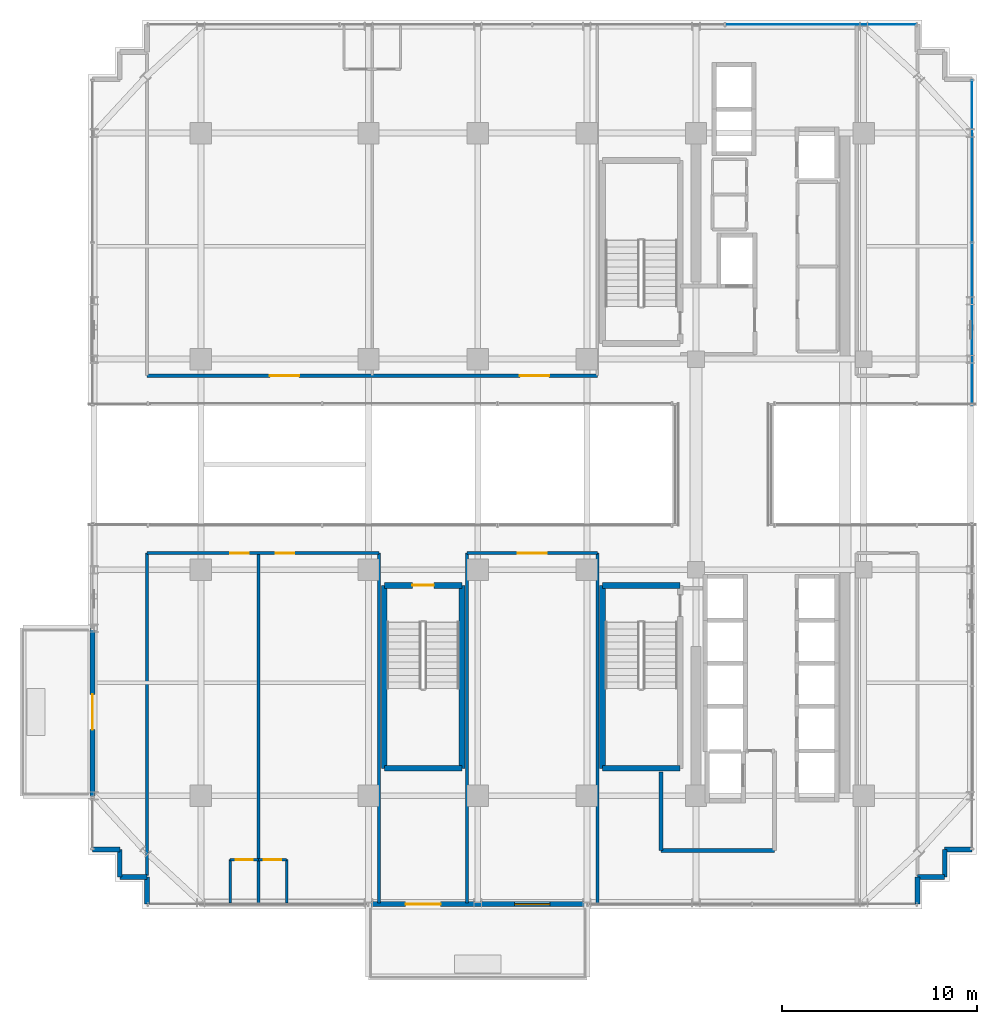
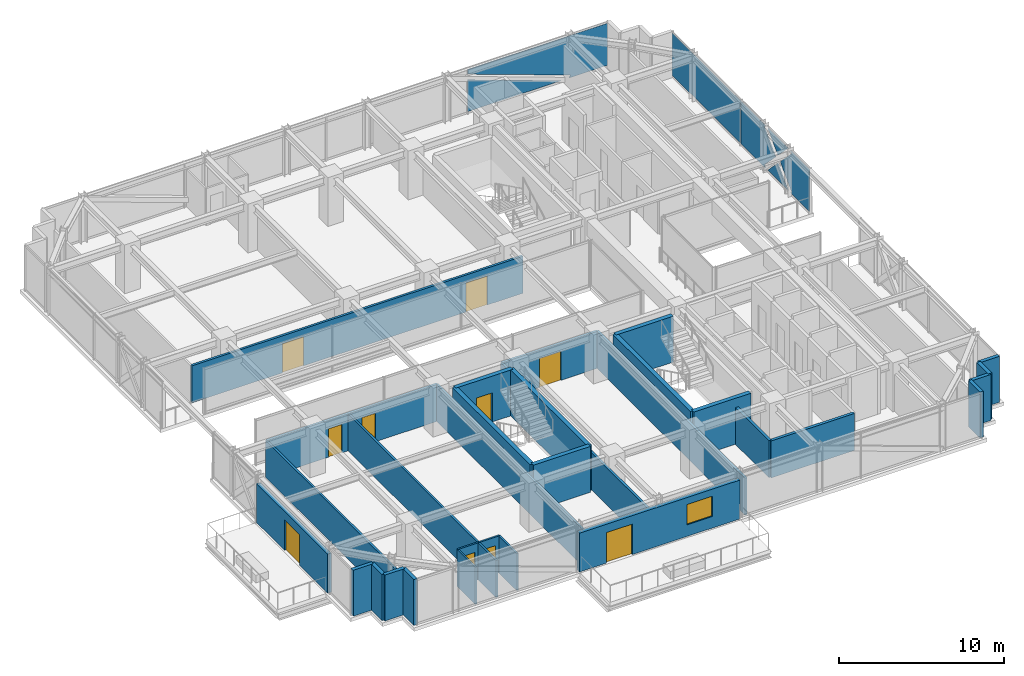
# One storey, part 28 of 35: 31 walls, 10 doors, 3 plates, 1 window, 11 openings, 2 elements without a shape of their own.
"""IFC4 building model written with IfcOpenShell, lengths in metres."""

from ifc_helpers import new_model, si_unit, direction, frame, frame_2d, origin, origin_2d, place, context, subcontext, project, spatial, polyline, rectangle, outline, extrude, source, transform, mapped, material, layer, layer_set, type_object, element, fill, aggregate, save


model = new_model("IFC4")

# Units and contexts
model_context = context("Model", 3, precision=1e-05, world=origin(), true_north=direction((0.0, 1.0)))
body_context = subcontext(model_context, "Body", "Model", "MODEL_VIEW")
ifc_project = project(units=[si_unit("LENGTHUNIT", "METRE"), si_unit("AREAUNIT", "SQUARE_METRE"), si_unit("VOLUMEUNIT", "CUBIC_METRE"), si_unit("PLANEANGLEUNIT", "RADIAN"), si_unit("MASSUNIT", "GRAM", prefix="KILO")], contexts=[model_context])

# Site, building, storey
site_placement = place(None, origin())
site = spatial("IfcSite", under=ifc_project, at=site_placement, CompositionType="ELEMENT")
building_placement = place(site_placement, origin())
building = spatial("IfcBuilding", under=site, at=building_placement, Name="Nahalor Promenade Grand Hotel", CompositionType="ELEMENT")
storey_placement = place(building_placement, frame((0.0, 0.0, 185.5)))
storey = spatial("IfcBuildingStorey", under=building, at=storey_placement, Name="L47", CompositionType="ELEMENT", Elevation=185.5)

# Curtain wall, plate
ifc_material_1 = material(Name="Anodised Bronze Aluminium EN AW-6063 T6", Category="aluminium")
curtain_wall_type = type_object("IfcCurtainWallType", Name="CW3 Elliptical-Void Collar Unitised Curtain Wall", PredefinedType="USERDEFINED", material=ifc_material_1)
curtain_wall_1_placement = place(storey_placement, origin())
curtain_wall_1 = element("IfcCurtainWall", 1, at=curtain_wall_1_placement, inside=storey, type_object=curtain_wall_type, Name="L47 Curtain Wall CW-L47-N-1", ObjectType="UNITISED_CURTAIN_WALL", PredefinedType="USERDEFINED")
ifc_material_2 = material(Name="Low-E Laminated Solar Glass", Category="glass")
ifc_layer_1 = layer(ifc_material_2, 0.030029296875)
ifc_layer_set_1 = layer_set([ifc_layer_1], Name="Low-E Laminated Solar Glass")
plate_type = type_object("IfcPlateType", Name="CWP3 High-Wind Laminated Bronze IGU 30mm", PredefinedType="CURTAIN_PANEL", material=ifc_layer_set_1)
plate_1_placement = place(storey_placement, frame((14.802490234375, 22.56005859375, 0.14013671875), z_axis=(0.0, 0.0, 1.0), x_axis=(1.0, 0.0, 0.0)))
plate_1 = element("IfcPlate", 2, at=plate_1_placement, type_object=plate_type, Name="CW-L47-N-1 Glazing Panel 3-0", PredefinedType="CURTAIN_PANEL", context=body_context, shape_type="SweptSolid", body=[
    extrude(outline(polyline([(4.887451171875, 3.110107421875), (-4.887451171875, 3.110107421875), (-4.887451171875, 2.76806640625), (2.28857421875, 0.189697265625), (2.220458984375, 0.0), (4.887451171875, 0.0), (4.887451171875, 3.110107421875)])), frame((0.0, 0.01513671875, 0.0), z_axis=(0.0, -1.0, 0.0), x_axis=(1.0, 0.0, 0.0)), (0.0, 0.0, 1.0), 0.030029296875),
    extrude(outline(polyline([(-4.887451171875, 2.343017578125), (-4.887451171875, 0.0), (1.6337890625, 0.0), (-4.887451171875, 2.343017578125)])), frame((0.0, 0.01513671875, 0.0), z_axis=(0.0, -1.0, 0.0), x_axis=(1.0, 0.0, 0.0)), (0.0, 0.0, 1.0), 0.030029296875),
])
aggregate(curtain_wall_1, [plate_1])

# Curtain wall, plates
curtain_wall_2_placement = place(storey_placement, origin())
curtain_wall_2 = element("IfcCurtainWall", 3, at=curtain_wall_2_placement, inside=storey, type_object=curtain_wall_type, Name="L47 Curtain Wall CW-L47-E-2", ObjectType="UNITISED_CURTAIN_WALL", PredefinedType="USERDEFINED")
plate_2_placement = place(storey_placement, frame((22.56005859375, 7.206787109375, 0.14013671875), z_axis=(0.0, 0.0, 1.0), x_axis=(0.0, 1.0, 0.0)))
plate_2 = element("IfcPlate", 4, at=plate_2_placement, type_object=plate_type, Name="CW-L47-E-2 Glazing Panel 0-0", PredefinedType="CURTAIN_PANEL", context=body_context, shape_type="SweptSolid", body=[
    extrude(outline(polyline([(-4.1376953125, 3.110107421875), (-4.1376953125, 0.0), (-1.832275390625, 0.0), (-1.9677734375, 0.13134765625), (-0.58544921875, 1.554931640625), (-1.9677734375, 2.978515625), (-1.832275390625, 3.110107421875), (-4.1376953125, 3.110107421875)])), frame((0.0, 0.01513671875, 0.0), z_axis=(0.0, -1.0, 0.0), x_axis=(1.0, 0.0, 0.0)), (0.0, 0.0, 1.0), 0.030029296875),
    extrude(outline(polyline([(-0.306640625, 1.267822265625), (-1.53759765625, 0.0), (0.92431640625, 0.0), (-0.306640625, 1.267822265625)])), frame((0.0, 0.01513671875, 0.0), z_axis=(0.0, -1.0, 0.0), x_axis=(1.0, 0.0, 0.0)), (0.0, 0.0, 1.0), 0.030029296875),
    extrude(outline(polyline([(-0.306640625, 1.842041015625), (0.92431640625, 3.110107421875), (-1.53759765625, 3.110107421875), (-0.306640625, 1.842041015625)])), frame((0.0, 0.01513671875, 0.0), z_axis=(0.0, -1.0, 0.0), x_axis=(1.0, 0.0, 0.0)), (0.0, 0.0, 1.0), 0.030029296875),
    extrude(outline(polyline([(4.1376953125, 0.0), (4.1376953125, 3.110107421875), (1.21875, 3.110107421875), (1.354248046875, 2.978515625), (-0.028076171875, 1.554931640625), (1.354248046875, 0.13134765625), (1.21875, 0.0), (4.1376953125, 0.0)])), frame((0.0, 0.01513671875, 0.0), z_axis=(0.0, -1.0, 0.0), x_axis=(1.0, 0.0, 0.0)), (0.0, 0.0, 1.0), 0.030029296875),
])
shared_shape_1 = source(origin(), body_context, "Body", "SweptSolid", [
    extrude(rectangle(XDim=8.275390625, YDim=0.030029296875, at=origin_2d()), origin(), (0.0, 0.0, 1.0), 3.110107421875),
])
plate_3_placement = place(storey_placement, frame((22.56005859375, 15.55224609375, 0.14013671875), z_axis=(0.0, 0.0, 1.0), x_axis=(0.0, 1.0, 0.0)))
plate_3 = element("IfcPlate", 5, at=plate_3_placement, type_object=plate_type, Name="CW-L47-E-2 Glazing Panel 1-0", PredefinedType="CURTAIN_PANEL", context=body_context, shape_type="MappedRepresentation", body=[
    mapped(shared_shape_1, transform((0.0, 0.0, 0.0), scale=1.0)),
])
aggregate(curtain_wall_2, [plate_2, plate_3])

# Walls
ifc_material_3 = material(Name="Concrete B-50 (C40/50)", Category="concrete")
ifc_layer_2 = layer(ifc_material_3, 0.300048828125)
ifc_layer_set_2 = layer_set([ifc_layer_2], Name="Concrete B-50 (C40/50)")
wall_type_1 = type_object("IfcWallType", Name="Wall-ShaftShear-300", PredefinedType="SHEAR", material=ifc_layer_set_2)
shared_shape_2 = source(origin(), body_context, "Body", "SweptSolid", [
    extrude(rectangle(XDim=3.97998046875, YDim=0.300048828125, at=frame_2d((1.989990234375, 0.0))), origin(), (0.0, 0.0, 1.0), 3.389892578125),
])
for number, where, z_axis, x_axis, name in (
    (6, (3.610107421875, -15.590087890625, 0.0), (0.0, 0.0, 1.0), (1.0, 0.0, 0.0), "L47 Exit Stair ST2 Shaft Wall S"),
    (7, (3.610107421875, -6.2099609375, 0.0), (0.0, 0.0, 1.0), (1.0, 0.0, 0.0), "L47 Exit Stair ST2 Shaft Wall N"),
    (8, (-7.590087890625, -15.590087890625, 0.0), (0.0, 0.0, 1.0), (1.0, 0.0, 0.0), "L47 Exit Stair ST3 Shaft Wall S"),
):
    element("IfcWall", number, at=place(storey_placement, frame(where, z_axis=z_axis, x_axis=x_axis)), inside=storey, type_object=wall_type_1, Name=name, PredefinedType="SHEAR", context=body_context, shape_type="MappedRepresentation", body=[
        mapped(shared_shape_2, transform((0.0, 0.0, 0.0), scale=1.0)),
    ])

# Wall, opening, door
wall_1_placement = place(storey_placement, frame((-7.590087890625, -6.2099609375, 0.0), z_axis=(0.0, 0.0, 1.0), x_axis=(1.0, 0.0, 0.0)))
wall_1 = element("IfcWall", 9, at=wall_1_placement, inside=storey, type_object=wall_type_1, Name="L47 Exit Stair ST3 Shaft Wall N", PredefinedType="SHEAR", context=body_context, shape_type="MappedRepresentation", body=[
    mapped(shared_shape_2, transform((0.0, 0.0, 0.0), scale=1.0)),
])
opening_1_placement = place(wall_1_placement, frame((1.43994140625, 0.0, 0.0)))
opening_1 = element("IfcOpeningElement", 10, at=opening_1_placement, cuts=wall_1, Name="Opening D-ST1", PredefinedType="OPENING", context=body_context, shape_type="SweptSolid", body=[
    extrude(rectangle(XDim=1.10009765625, YDim=2.14990234375, at=frame_2d((0.550048828125, 1.074951171875))), frame((0.0, 0.159912109375, 0.0), z_axis=(0.0, -1.0, 0.0), x_axis=(1.0, 0.0, 0.0)), (0.0, 0.0, 1.0), 0.320068359375),
])
ifc_material_4 = material(Name="Steel S355JR", Category="steel")
door_type_1 = type_object("IfcDoorType", Name="Door-StairFire-1100", OperationType="NOTDEFINED", PredefinedType="DOOR", material=ifc_material_4)
shared_shape_3 = source(origin(), body_context, "Body", "SweptSolid", [
    extrude(rectangle(XDim=1.10009765625, YDim=2.14990234375, at=frame_2d((0.550048828125, 1.074951171875))), frame((0.0, 0.02490234375, 0.0), z_axis=(0.0, -1.0, 0.0), x_axis=(1.0, 0.0, 0.0)), (0.0, 0.0, 1.0), 0.050048828125),
])
door_1_placement = place(opening_1_placement, frame((1.10009765625, 0.0, 0.0), z_axis=(0.0, 0.0, 1.0), x_axis=(-1.0, 0.0, 0.0)))
door_1 = element("IfcDoor", 11, at=door_1_placement, inside=storey, type_object=door_type_1, Name="DR-STAIR-ST3-L47", OperationType="SINGLE_SWING_RIGHT", OverallHeight=2.14990234375, OverallWidth=1.10009765625, PredefinedType="DOOR", context=body_context, shape_type="MappedRepresentation", body=[
    mapped(shared_shape_3, transform((0.0, 0.0, 0.0), scale=1.0)),
])
fill(opening_1, door_1)

# Walls
shared_shape_4 = source(origin(), body_context, "Body", "SweptSolid", [
    extrude(rectangle(XDim=9.380126953125, YDim=0.300048828125, at=frame_2d((4.68994140625, 0.0))), origin(), (0.0, 0.0, 1.0), 3.389892578125),
])
for number, where, z_axis, x_axis, name in (
    (12, (3.610107421875, -15.590087890625, 0.0), (0.0, 0.0, 1.0), (0.0, 1.0, 0.0), "L47 Exit Stair ST2 Shaft Wall W"),
    (13, (-7.590087890625, -15.590087890625, 0.0), (0.0, 0.0, 1.0), (0.0, 1.0, 0.0), "L47 Exit Stair ST3 Shaft Wall W"),
    (14, (-3.610107421875, -15.590087890625, 0.0), (0.0, 0.0, 1.0), (0.0, 1.0, 0.0), "L47 Exit Stair ST3 Shaft Wall E"),
):
    element("IfcWall", number, at=place(storey_placement, frame(where, z_axis=z_axis, x_axis=x_axis)), inside=storey, type_object=wall_type_1, Name=name, PredefinedType="SHEAR", context=body_context, shape_type="MappedRepresentation", body=[
        mapped(shared_shape_4, transform((0.0, 0.0, 0.0), scale=1.0)),
    ])
ifc_material_5 = material(Name="Concrete B-40 (C32/40)", Category="concrete")
ifc_layer_3 = layer(ifc_material_5, 0.25)
ifc_layer_set_3 = layer_set([ifc_layer_3], Name="Concrete B-40 (C32/40)")
wall_type_2 = type_object("IfcWallType", Name="Wall-BronzePier-250", PredefinedType="STANDARD", material=ifc_layer_set_3)
shared_shape_5 = source(origin(), body_context, "Body", "SweptSolid", [
    extrude(rectangle(XDim=1.400146484375, YDim=0.25, at=frame_2d((0.7001953125, 0.0))), origin(), (0.0, 0.0, 1.0), 3.389892578125),
])
for number, where, z_axis, x_axis, name in (
    (15, (19.760009765625, -22.56005859375, 0.0), (0.0, 0.0, 1.0), (0.0, 1.0, 0.0), "W-L47-SR-01"),
    (16, (21.159912109375, -19.760009765625, 0.0), (0.0, 0.0, 1.0), (1.0, 0.0, 0.0), "W-L47-SR-04"),
    (17, (-22.56005859375, -19.760009765625, 0.0), (0.0, 0.0, 1.0), (1.0, 0.0, 0.0), "W-L47-SR-13"),
    (18, (-19.760009765625, -22.56005859375, 0.0), (0.0, 0.0, 1.0), (0.0, 1.0, 0.0), "W-L47-SR-16"),
):
    element("IfcWall", number, at=place(storey_placement, frame(where, z_axis=z_axis, x_axis=x_axis)), inside=storey, type_object=wall_type_2, Name=name, PredefinedType="STANDARD", context=body_context, shape_type="MappedRepresentation", body=[
        mapped(shared_shape_5, transform((0.0, 0.0, 0.0), scale=1.0)),
    ])
shared_shape_6 = source(origin(), body_context, "Body", "SweptSolid", [
    extrude(rectangle(XDim=1.39990234375, YDim=0.25, at=frame_2d((0.699951171875, 0.0))), origin(), (0.0, 0.0, 1.0), 3.389892578125),
])
for number, where, z_axis, x_axis, name in (
    (19, (19.760009765625, -21.159912109375, 0.0), (0.0, 0.0, 1.0), (1.0, 0.0, 0.0), "W-L47-SR-02"),
    (20, (21.159912109375, -21.159912109375, 0.0), (0.0, 0.0, 1.0), (0.0, 1.0, 0.0), "W-L47-SR-03"),
    (21, (-21.159912109375, -21.159912109375, 0.0), (0.0, 0.0, 1.0), (0.0, 1.0, 0.0), "W-L47-SR-14"),
    (22, (-21.159912109375, -21.159912109375, 0.0), (0.0, 0.0, 1.0), (1.0, 0.0, 0.0), "W-L47-SR-15"),
):
    element("IfcWall", number, at=place(storey_placement, frame(where, z_axis=z_axis, x_axis=x_axis)), inside=storey, type_object=wall_type_2, Name=name, PredefinedType="STANDARD", context=body_context, shape_type="MappedRepresentation", body=[
        mapped(shared_shape_6, transform((0.0, 0.0, 0.0), scale=1.0)),
    ])

# Wall, opening, door
ifc_layer_4 = layer(ifc_material_5, 0.260009765625)
ifc_layer_set_4 = layer_set([ifc_layer_4], Name="Concrete B-40 (C32/40)")
wall_type_3 = type_object("IfcWallType", Name="Wall-BalconyWall-260", PredefinedType="STANDARD", material=ifc_layer_set_4)
shared_shape_7 = source(origin(), body_context, "Body", "SweptSolid", [
    extrude(rectangle(XDim=8.60009765625, YDim=0.260009765625, at=frame_2d((4.300048828125, 0.0))), origin(), (0.0, 0.0, 1.0), 2.8701171875),
])
wall_2_placement = place(storey_placement, frame((-22.56005859375, -17.0, 0.0), z_axis=(0.0, 0.0, 1.0), x_axis=(0.0, 1.0, 0.0)))
wall_2 = element("IfcWall", 23, at=wall_2_placement, inside=storey, type_object=wall_type_3, Name="W-L47-BALC-W-2", PredefinedType="STANDARD", context=body_context, shape_type="MappedRepresentation", body=[
    mapped(shared_shape_7, transform((0.0, 0.0, 0.0), scale=1.0)),
])
opening_2_placement = place(wall_2_placement, frame((3.39990234375, 0.0, 0.0)))
opening_2 = element("IfcOpeningElement", 24, at=opening_2_placement, cuts=wall_2, Name="Opening D-BC1", PredefinedType="OPENING", context=body_context, shape_type="SweptSolid", body=[
    extrude(rectangle(XDim=1.800048828125, YDim=2.25, at=frame_2d((0.89990234375, 1.125))), frame((0.0, 0.139892578125, 0.0), z_axis=(0.0, -1.0, 0.0), x_axis=(1.0, 0.0, 0.0)), (0.0, 0.0, 1.0), 0.280029296875),
])
door_type_2 = type_object("IfcDoorType", Name="Door-BalconySlide-1800", OperationType="DOUBLE_DOOR_SLIDING", PredefinedType="DOOR", material=ifc_material_1)
shared_shape_8 = source(origin(), body_context, "Body", "SweptSolid", [
    extrude(rectangle(XDim=1.800048828125, YDim=2.25, at=frame_2d((0.89990234375, 1.125))), frame((0.0, 0.02490234375, 0.0), z_axis=(0.0, -1.0, 0.0), x_axis=(1.0, 0.0, 0.0)), (0.0, 0.0, 1.0), 0.050048828125),
])
door_2_placement = place(opening_2_placement, origin())
door_2 = element("IfcDoor", 25, at=door_2_placement, inside=storey, type_object=door_type_2, Name="DR-L47-BALC-W-2", OperationType="DOUBLE_DOOR_SLIDING", OverallHeight=2.25, OverallWidth=1.800048828125, PredefinedType="DOOR", context=body_context, shape_type="MappedRepresentation", body=[
    mapped(shared_shape_8, transform((0.0, 0.0, 0.0), scale=1.0)),
])
fill(opening_2, door_2)

# Wall, openings, door, window
shared_shape_9 = source(origin(), body_context, "Body", "SweptSolid", [
    extrude(rectangle(XDim=11.199951171875, YDim=0.260009765625, at=frame_2d((5.60009765625, 0.0))), origin(), (0.0, 0.0, 1.0), 2.8701171875),
])
wall_3_placement = place(storey_placement, frame((-8.39990234375, -22.56005859375, 0.0), z_axis=(0.0, 0.0, 1.0), x_axis=(1.0, 0.0, 0.0)))
wall_3 = element("IfcWall", 26, at=wall_3_placement, inside=storey, type_object=wall_type_3, Name="W-L47-BALC-S-2", PredefinedType="STANDARD", context=body_context, shape_type="MappedRepresentation", body=[
    mapped(shared_shape_9, transform((0.0, 0.0, 0.0), scale=1.0)),
])
opening_3_placement = place(wall_3_placement, frame((1.89990234375, 0.0, 0.0)))
opening_3 = element("IfcOpeningElement", 27, at=opening_3_placement, cuts=wall_3, Name="Opening D-BC1", PredefinedType="OPENING", context=body_context, shape_type="SweptSolid", body=[
    extrude(rectangle(XDim=1.800048828125, YDim=2.25, at=frame_2d((0.89990234375, 1.125))), frame((0.0, 0.139892578125, 0.0), z_axis=(0.0, -1.0, 0.0), x_axis=(1.0, 0.0, 0.0)), (0.0, 0.0, 1.0), 0.280029296875),
])
opening_4_placement = place(wall_3_placement, frame((7.5, 0.0, 0.85009765625)))
opening_4 = element("IfcOpeningElement", 28, at=opening_4_placement, cuts=wall_3, Name="Opening WN-01", PredefinedType="OPENING", context=body_context, shape_type="SweptSolid", body=[
    extrude(rectangle(XDim=1.800048828125, YDim=1.5, at=frame_2d((0.89990234375, 0.75))), frame((0.0, 0.139892578125, 0.0), z_axis=(0.0, -1.0, 0.0), x_axis=(1.0, 0.0, 0.0)), (0.0, 0.0, 1.0), 0.280029296875),
])
door_3_placement = place(opening_3_placement, frame((1.800048828125, 0.0, 0.0), z_axis=(0.0, 0.0, 1.0), x_axis=(-1.0, 0.0, 0.0)))
door_3 = element("IfcDoor", 29, at=door_3_placement, inside=storey, type_object=door_type_2, Name="DR-L47-BALC-S-2", OperationType="DOUBLE_DOOR_SLIDING", OverallHeight=2.25, OverallWidth=1.800048828125, PredefinedType="DOOR", context=body_context, shape_type="MappedRepresentation", body=[
    mapped(shared_shape_8, transform((0.0, 0.0, 0.0), scale=1.0)),
])
fill(opening_3, door_3)
window_type = type_object("IfcWindowType", Name="Win-ChicagoBay-1800x1500", PartitioningType="SINGLE_PANEL", PredefinedType="WINDOW", material=ifc_material_2)
shared_shape_10 = source(origin(), body_context, "Body", "SweptSolid", [
    extrude(rectangle(XDim=1.800048828125, YDim=1.5, at=frame_2d((0.89990234375, 0.75))), frame((0.0, 0.030029296875, 0.0), z_axis=(0.0, -1.0, 0.0), x_axis=(1.0, 0.0, 0.0)), (0.0, 0.0, 1.0), 0.06005859375),
])
window_placement = place(opening_4_placement, origin())
window = element("IfcWindow", 30, at=window_placement, inside=storey, type_object=window_type, Name="WN-L47-BALC-S-2-1", OverallHeight=1.5, OverallWidth=1.800048828125, PartitioningType="SINGLE_PANEL", PredefinedType="WINDOW", context=body_context, shape_type="MappedRepresentation", body=[
    mapped(shared_shape_10, transform((0.0, 0.0, 0.0), scale=1.0)),
])
fill(opening_4, window)

# Walls
ifc_layer_5 = layer(ifc_material_5, 0.199951171875)
ifc_layer_set_5 = layer_set([ifc_layer_5], Name="Concrete B-40 (C32/40)")
wall_type_4 = type_object("IfcWallType", Name="Wall-PartFire-200", PredefinedType="PARTITIONING", material=ifc_layer_set_5)
shared_shape_11 = source(origin(), body_context, "Body", "SweptSolid", [
    extrude(rectangle(XDim=5.81982421875, YDim=0.199951171875, at=frame_2d((2.909912109375, 0.0))), origin(), (0.0, 0.0, 1.0), 2.72998046875),
])
wall_4_placement = place(storey_placement, frame((6.60009765625, -19.800048828125, 0.0), z_axis=(0.0, 0.0, 1.0), x_axis=(1.0, 0.0, 0.0)))
element("IfcWall", 31, at=wall_4_placement, inside=storey, type_object=wall_type_4, Name="W-L47-FF2-S1", PredefinedType="PARTITIONING", context=body_context, shape_type="MappedRepresentation", body=[
    mapped(shared_shape_11, transform((0.0, 0.0, 0.0), scale=1.0)),
])
shared_shape_12 = source(origin(), body_context, "Body", "SweptSolid", [
    extrude(rectangle(XDim=4.030029296875, YDim=0.199951171875, at=frame_2d((2.01513671875, 0.0))), origin(), (0.0, 0.0, 1.0), 2.72998046875),
])
wall_5_placement = place(storey_placement, frame((6.60009765625, -19.800048828125, 0.0), z_axis=(0.0, 0.0, 1.0), x_axis=(0.0, 1.0, 0.0)))
element("IfcWall", 32, at=wall_5_placement, inside=storey, type_object=wall_type_4, Name="W-L47-FF2-W1", PredefinedType="PARTITIONING", context=body_context, shape_type="MappedRepresentation", body=[
    mapped(shared_shape_12, transform((0.0, 0.0, 0.0), scale=1.0)),
])
ifc_material_6 = material(Name="Acoustic Mineral Gypsum", Category="gypsum")
ifc_layer_6 = layer(ifc_material_6, 0.159912109375)
ifc_layer_set_6 = layer_set([ifc_layer_6], Name="Acoustic Mineral Gypsum")
wall_type_5 = type_object("IfcWallType", Name="Wall-PartCorridor-160", PredefinedType="PARTITIONING", material=ifc_layer_set_6)
shared_shape_13 = source(origin(), body_context, "Body", "SweptSolid", [
    extrude(rectangle(XDim=17.949951171875, YDim=0.159912109375, at=frame_2d((8.97509765625, 0.0))), origin(), (0.0, 0.0, 1.0), 2.72998046875),
])
for number, where, z_axis, x_axis, name in (
    (33, (-3.340087890625, -22.5, 0.0), (0.0, 0.0, 1.0), (0.0, 1.0, 0.0), "W-L47-SCB-W"),
    (34, (3.340087890625, -22.5, 0.0), (0.0, 0.0, 1.0), (0.0, 1.0, 0.0), "W-L47-SCB-E"),
):
    element("IfcWall", number, at=place(storey_placement, frame(where, z_axis=z_axis, x_axis=x_axis)), inside=storey, type_object=wall_type_5, Name=name, PredefinedType="PARTITIONING", context=body_context, shape_type="MappedRepresentation", body=[
        mapped(shared_shape_13, transform((0.0, 0.0, 0.0), scale=1.0)),
    ])

# Wall, opening, door
ifc_layer_7 = layer(ifc_material_6, 0.1201171875)
ifc_layer_set_7 = layer_set([ifc_layer_7], Name="Acoustic Mineral Gypsum")
wall_type_6 = type_object("IfcWallType", Name="Wall-PartBath-120", PredefinedType="PARTITIONING", material=ifc_layer_set_7)
shared_shape_14 = source(origin(), body_context, "Body", "SweptSolid", [
    extrude(rectangle(XDim=1.449951171875, YDim=0.1201171875, at=frame_2d((0.72509765625, 0.0))), origin(), (0.0, 0.0, 1.0), 2.72998046875),
])
wall_6_placement = place(storey_placement, frame((-15.498046875, -20.280029296875, 0.0), z_axis=(0.0, 0.0, 1.0), x_axis=(1.0, 0.0, 0.0)))
wall_6 = element("IfcWall", 35, at=wall_6_placement, inside=storey, type_object=wall_type_6, Name="W-L47-S1-BH", PredefinedType="PARTITIONING", context=body_context, shape_type="MappedRepresentation", body=[
    mapped(shared_shape_14, transform((0.0, 0.0, 0.0), scale=1.0)),
])
opening_5_placement = place(wall_6_placement, frame((0.284912109375, 0.0, 0.0)))
opening_5 = element("IfcOpeningElement", 36, at=opening_5_placement, cuts=wall_6, Name="Opening D-03", PredefinedType="OPENING", context=body_context, shape_type="SweptSolid", body=[
    extrude(rectangle(XDim=0.8798828125, YDim=2.10009765625, at=frame_2d((0.43994140625, 1.050048828125))), frame((0.0, 0.070068359375, 0.0), z_axis=(0.0, -1.0, 0.0), x_axis=(1.0, 0.0, 0.0)), (0.0, 0.0, 1.0), 0.14013671875),
])
ifc_material_7 = material(Name="Fire-Rated Timber Composite", Category="wood")
door_type_3 = type_object("IfcDoorType", Name="Door-BathSwing-880", OperationType="NOTDEFINED", PredefinedType="DOOR", material=ifc_material_7)
shared_shape_15 = source(origin(), body_context, "Body", "SweptSolid", [
    extrude(rectangle(XDim=0.8798828125, YDim=2.10009765625, at=frame_2d((0.43994140625, 1.050048828125))), frame((0.0, 0.02490234375, 0.0), z_axis=(0.0, -1.0, 0.0), x_axis=(1.0, 0.0, 0.0)), (0.0, 0.0, 1.0), 0.050048828125),
])
door_4_placement = place(opening_5_placement, frame((0.8798828125, 0.0, 0.0), z_axis=(0.0, 0.0, 1.0), x_axis=(-1.0, 0.0, 0.0)))
door_4 = element("IfcDoor", 37, at=door_4_placement, inside=storey, type_object=door_type_3, Name="DR-L47-S1-BATH", OperationType="SINGLE_SWING_LEFT", OverallHeight=2.10009765625, OverallWidth=0.8798828125, PredefinedType="DOOR", context=body_context, shape_type="MappedRepresentation", body=[
    mapped(shared_shape_15, transform((0.0, 0.0, 0.0), scale=1.0)),
])
fill(opening_5, door_4)

# Walls
shared_shape_16 = source(origin(), body_context, "Body", "SweptSolid", [
    extrude(rectangle(XDim=2.219970703125, YDim=0.1201171875, at=frame_2d((1.10986328125, 0.0))), origin(), (0.0, 0.0, 1.0), 2.72998046875),
])
for number, where, z_axis, x_axis, name in (
    (38, (-15.498046875, -22.5, 0.0), (0.0, 0.0, 1.0), (0.0, 1.0, 0.0), "W-L47-S1-BV"),
    (39, (-12.597900390625, -22.5, 0.0), (0.0, 0.0, 1.0), (0.0, 1.0, 0.0), "W-L47-S2-BV"),
):
    element("IfcWall", number, at=place(storey_placement, frame(where, z_axis=z_axis, x_axis=x_axis)), inside=storey, type_object=wall_type_6, Name=name, PredefinedType="PARTITIONING", context=body_context, shape_type="MappedRepresentation", body=[
        mapped(shared_shape_16, transform((0.0, 0.0, 0.0), scale=1.0)),
    ])
ifc_layer_8 = layer(ifc_material_6, 0.139892578125)
ifc_layer_set_8 = layer_set([ifc_layer_8], Name="Acoustic Mineral Gypsum")
wall_type_7 = type_object("IfcWallType", Name="Wall-PartSuite-140", PredefinedType="PARTITIONING", material=ifc_layer_set_8)
shared_shape_17 = source(origin(), body_context, "Body", "SweptSolid", [
    extrude(rectangle(XDim=17.949951171875, YDim=0.139892578125, at=frame_2d((8.97509765625, 0.0))), origin(), (0.0, 0.0, 1.0), 2.72998046875),
])
for number, where, z_axis, x_axis, name in (
    (40, (-7.860107421875, -22.5, 0.0), (0.0, 0.0, 1.0), (0.0, 1.0, 0.0), "W-L47-SW-ENDE"),
    (41, (-14.048095703125, -22.5, 0.0), (0.0, 0.0, 1.0), (0.0, 1.0, 0.0), "W-L47-SP-1"),
):
    element("IfcWall", number, at=place(storey_placement, frame(where, z_axis=z_axis, x_axis=x_axis)), inside=storey, type_object=wall_type_7, Name=name, PredefinedType="PARTITIONING", context=body_context, shape_type="MappedRepresentation", body=[
        mapped(shared_shape_17, transform((0.0, 0.0, 0.0), scale=1.0)),
    ])

# Wall, opening, door
shared_shape_18 = source(origin(), body_context, "Body", "SweptSolid", [
    extrude(rectangle(XDim=1.4501953125, YDim=0.1201171875, at=frame_2d((0.72509765625, 0.0))), origin(), (0.0, 0.0, 1.0), 2.72998046875),
])
wall_7_placement = place(storey_placement, frame((-14.048095703125, -20.280029296875, 0.0), z_axis=(0.0, 0.0, 1.0), x_axis=(1.0, 0.0, 0.0)))
wall_7 = element("IfcWall", 42, at=wall_7_placement, inside=storey, type_object=wall_type_6, Name="W-L47-S2-BH", PredefinedType="PARTITIONING", context=body_context, shape_type="MappedRepresentation", body=[
    mapped(shared_shape_18, transform((0.0, 0.0, 0.0), scale=1.0)),
])
opening_6_placement = place(wall_7_placement, frame((0.284912109375, 0.0, 0.0)))
opening_6 = element("IfcOpeningElement", 43, at=opening_6_placement, cuts=wall_7, Name="Opening D-03", PredefinedType="OPENING", context=body_context, shape_type="SweptSolid", body=[
    extrude(rectangle(XDim=0.8798828125, YDim=2.10009765625, at=frame_2d((0.43994140625, 1.050048828125))), frame((0.0, 0.070068359375, 0.0), z_axis=(0.0, -1.0, 0.0), x_axis=(1.0, 0.0, 0.0)), (0.0, 0.0, 1.0), 0.14013671875),
])
door_5_placement = place(opening_6_placement, frame((0.8798828125, 0.0, 0.0), z_axis=(0.0, 0.0, 1.0), x_axis=(-1.0, 0.0, 0.0)))
door_5 = element("IfcDoor", 44, at=door_5_placement, inside=storey, type_object=door_type_3, Name="DR-L47-S2-BATH", OperationType="SINGLE_SWING_LEFT", OverallHeight=2.10009765625, OverallWidth=0.8798828125, PredefinedType="DOOR", context=body_context, shape_type="MappedRepresentation", body=[
    mapped(shared_shape_15, transform((0.0, 0.0, 0.0), scale=1.0)),
])
fill(opening_6, door_5)

shared_shape_19 = source(origin(), body_context, "Body", "SweptSolid", [
    extrude(rectangle(XDim=6.68017578125, YDim=0.159912109375, at=frame_2d((3.340087890625, 0.0))), origin(), (0.0, 0.0, 1.0), 2.72998046875),
])
wall_8_placement = place(storey_placement, frame((-3.340087890625, -4.550048828125, 0.0), z_axis=(0.0, 0.0, 1.0), x_axis=(1.0, 0.0, 0.0)))
wall_8 = element("IfcWall", 45, at=wall_8_placement, inside=storey, type_object=wall_type_5, Name="W-L47-SCB-N", PredefinedType="PARTITIONING", context=body_context, shape_type="MappedRepresentation", body=[
    mapped(shared_shape_19, transform((0.0, 0.0, 0.0), scale=1.0)),
])
opening_7_placement = place(wall_8_placement, frame((2.590087890625, 0.0, 0.0)))
opening_7 = element("IfcOpeningElement", 46, at=opening_7_placement, cuts=wall_8, Name="Opening D-02", PredefinedType="OPENING", context=body_context, shape_type="SweptSolid", body=[
    extrude(rectangle(XDim=1.5, YDim=2.14990234375, at=frame_2d((0.75, 1.074951171875))), frame((0.0, 0.08984375, 0.0), z_axis=(0.0, -1.0, 0.0), x_axis=(1.0, 0.0, 0.0)), (0.0, 0.0, 1.0), 0.179931640625),
])
door_type_4 = type_object("IfcDoorType", Name="Door-SuiteDouble-1500", OperationType="DOUBLE_DOOR_SINGLE_SWING", PredefinedType="DOOR", material=ifc_material_7)
shared_shape_20 = source(origin(), body_context, "Body", "SweptSolid", [
    extrude(rectangle(XDim=1.5, YDim=2.14990234375, at=frame_2d((0.75, 1.074951171875))), frame((0.0, 0.02490234375, 0.0), z_axis=(0.0, -1.0, 0.0), x_axis=(1.0, 0.0, 0.0)), (0.0, 0.0, 1.0), 0.050048828125),
])
door_6_placement = place(opening_7_placement, frame((1.5, 0.0, 0.0), z_axis=(0.0, 0.0, 1.0), x_axis=(-1.0, 0.0, 0.0)))
door_6 = element("IfcDoor", 47, at=door_6_placement, inside=storey, type_object=door_type_4, Name="DR-L47-SCB", OperationType="DOUBLE_DOOR_SINGLE_SWING", OverallHeight=2.14990234375, OverallWidth=1.5, PredefinedType="DOOR", context=body_context, shape_type="MappedRepresentation", body=[
    mapped(shared_shape_20, transform((0.0, 0.0, 0.0), scale=1.0)),
])
fill(opening_7, door_6)

# Wall, openings, doors
shared_shape_21 = source(origin(), body_context, "Body", "SweptSolid", [
    extrude(rectangle(XDim=23.10009765625, YDim=0.159912109375, at=frame_2d((11.550048828125, 0.0))), origin(), (0.0, 0.0, 1.0), 2.72998046875),
])
wall_9_placement = place(storey_placement, frame((-19.760009765625, 4.550048828125, 0.0), z_axis=(0.0, 0.0, 1.0), x_axis=(1.0, 0.0, 0.0)))
wall_9 = element("IfcWall", 48, at=wall_9_placement, inside=storey, type_object=wall_type_5, Name="W-L47-CORR-N", PredefinedType="PARTITIONING", context=body_context, shape_type="MappedRepresentation", body=[
    mapped(shared_shape_21, transform((0.0, 0.0, 0.0), scale=1.0)),
])
opening_8_placement = place(wall_9_placement, frame((6.302001953125, 0.0, 0.0)))
opening_8 = element("IfcOpeningElement", 49, at=opening_8_placement, cuts=wall_9, Name="Opening D-02", PredefinedType="OPENING", context=body_context, shape_type="SweptSolid", body=[
    extrude(rectangle(XDim=1.5, YDim=2.14990234375, at=frame_2d((0.75, 1.074951171875))), frame((0.0, 0.08984375, 0.0), z_axis=(0.0, -1.0, 0.0), x_axis=(1.0, 0.0, 0.0)), (0.0, 0.0, 1.0), 0.179931640625),
])
opening_9_placement = place(wall_9_placement, frame((19.12890625, 0.0, 0.0)))
opening_9 = element("IfcOpeningElement", 50, at=opening_9_placement, cuts=wall_9, Name="Opening D-02", PredefinedType="OPENING", context=body_context, shape_type="SweptSolid", body=[
    extrude(rectangle(XDim=1.5, YDim=2.14990234375, at=frame_2d((0.75, 1.074951171875))), frame((0.0, 0.08984375, 0.0), z_axis=(0.0, -1.0, 0.0), x_axis=(1.0, 0.0, 0.0)), (0.0, 0.0, 1.0), 0.179931640625),
])
door_7_placement = place(opening_8_placement, origin())
door_7 = element("IfcDoor", 51, at=door_7_placement, inside=storey, type_object=door_type_4, Name="DR-L47-N1-ENT", OperationType="DOUBLE_DOOR_SINGLE_SWING", OverallHeight=2.14990234375, OverallWidth=1.5, PredefinedType="DOOR", context=body_context, shape_type="MappedRepresentation", body=[
    mapped(shared_shape_20, transform((0.0, 0.0, 0.0), scale=1.0)),
])
fill(opening_8, door_7)
door_8_placement = place(opening_9_placement, origin())
door_8 = element("IfcDoor", 52, at=door_8_placement, inside=storey, type_object=door_type_4, Name="DR-L47-N2-ENT", OperationType="DOUBLE_DOOR_SINGLE_SWING", OverallHeight=2.14990234375, OverallWidth=1.5, PredefinedType="DOOR", context=body_context, shape_type="MappedRepresentation", body=[
    mapped(shared_shape_20, transform((0.0, 0.0, 0.0), scale=1.0)),
])
fill(opening_9, door_8)

# Wall
shared_shape_22 = source(origin(), body_context, "Body", "SweptSolid", [
    extrude(rectangle(XDim=16.530029296875, YDim=0.139892578125, at=frame_2d((8.26513671875, 0.0))), origin(), (0.0, 0.0, 1.0), 2.72998046875),
])
wall_10_placement = place(storey_placement, frame((-19.760009765625, -21.080078125, 0.0), z_axis=(0.0, 0.0, 1.0), x_axis=(0.0, 1.0, 0.0)))
element("IfcWall", 53, at=wall_10_placement, inside=storey, type_object=wall_type_7, Name="W-L47-SW-ENDW", PredefinedType="PARTITIONING", context=body_context, shape_type="MappedRepresentation", body=[
    mapped(shared_shape_22, transform((0.0, 0.0, 0.0), scale=1.0)),
])

# Wall, openings, doors
shared_shape_23 = source(origin(), body_context, "Body", "SweptSolid", [
    extrude(rectangle(XDim=11.89990234375, YDim=0.159912109375, at=frame_2d((5.949951171875, 0.0))), origin(), (0.0, 0.0, 1.0), 2.72998046875),
])
wall_11_placement = place(storey_placement, frame((-19.760009765625, -4.550048828125, 0.0), z_axis=(0.0, 0.0, 1.0), x_axis=(1.0, 0.0, 0.0)))
wall_11 = element("IfcWall", 54, at=wall_11_placement, inside=storey, type_object=wall_type_5, Name="W-L47-CORR-S", PredefinedType="PARTITIONING", context=body_context, shape_type="MappedRepresentation", body=[
    mapped(shared_shape_23, transform((0.0, 0.0, 0.0), scale=1.0)),
])
opening_10_placement = place(wall_11_placement, frame((4.27099609375, 0.0, 0.0)))
opening_10 = element("IfcOpeningElement", 55, at=opening_10_placement, cuts=wall_11, Name="Opening D-01", PredefinedType="OPENING", context=body_context, shape_type="SweptSolid", body=[
    extrude(rectangle(XDim=0.949951171875, YDim=2.10009765625, at=frame_2d((0.47509765625, 1.050048828125))), frame((0.0, 0.08984375, 0.0), z_axis=(0.0, -1.0, 0.0), x_axis=(1.0, 0.0, 0.0)), (0.0, 0.0, 1.0), 0.179931640625),
])
opening_11_placement = place(wall_11_placement, frame((6.597900390625, 0.0, 0.0)))
opening_11 = element("IfcOpeningElement", 56, at=opening_11_placement, cuts=wall_11, Name="Opening D-01", PredefinedType="OPENING", context=body_context, shape_type="SweptSolid", body=[
    extrude(rectangle(XDim=0.949951171875, YDim=2.10009765625, at=frame_2d((0.47509765625, 1.050048828125))), frame((0.0, 0.08984375, 0.0), z_axis=(0.0, -1.0, 0.0), x_axis=(1.0, 0.0, 0.0)), (0.0, 0.0, 1.0), 0.179931640625),
])
door_type_5 = type_object("IfcDoorType", Name="Door-GuestEntry-950", OperationType="NOTDEFINED", PredefinedType="DOOR", material=ifc_material_7)
shared_shape_24 = source(origin(), body_context, "Body", "SweptSolid", [
    extrude(rectangle(XDim=0.949951171875, YDim=2.10009765625, at=frame_2d((0.47509765625, 1.050048828125))), frame((0.0, 0.02490234375, 0.0), z_axis=(0.0, -1.0, 0.0), x_axis=(1.0, 0.0, 0.0)), (0.0, 0.0, 1.0), 0.050048828125),
])
door_9_placement = place(opening_10_placement, frame((0.949951171875, 0.0, 0.0), z_axis=(0.0, 0.0, 1.0), x_axis=(-1.0, 0.0, 0.0)))
door_9 = element("IfcDoor", 57, at=door_9_placement, inside=storey, type_object=door_type_5, Name="DR-L47-S1-ENT", OperationType="SINGLE_SWING_RIGHT", OverallHeight=2.10009765625, OverallWidth=0.949951171875, PredefinedType="DOOR", context=body_context, shape_type="MappedRepresentation", body=[
    mapped(shared_shape_24, transform((0.0, 0.0, 0.0), scale=1.0)),
])
fill(opening_10, door_9)
door_10_placement = place(opening_11_placement, frame((0.949951171875, 0.0, 0.0), z_axis=(0.0, 0.0, 1.0), x_axis=(-1.0, 0.0, 0.0)))
door_10 = element("IfcDoor", 58, at=door_10_placement, inside=storey, type_object=door_type_5, Name="DR-L47-S2-ENT", OperationType="SINGLE_SWING_RIGHT", OverallHeight=2.10009765625, OverallWidth=0.949951171875, PredefinedType="DOOR", context=body_context, shape_type="MappedRepresentation", body=[
    mapped(shared_shape_24, transform((0.0, 0.0, 0.0), scale=1.0)),
])
fill(opening_11, door_10)

save(model, "model.ifc")
